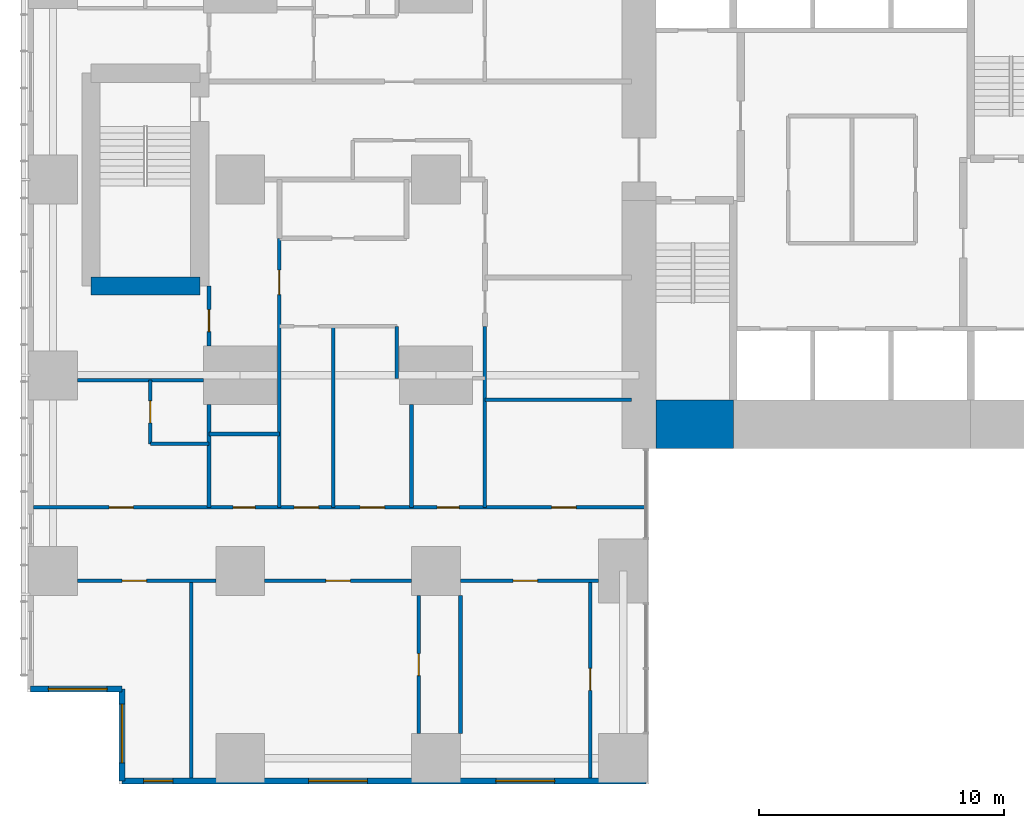
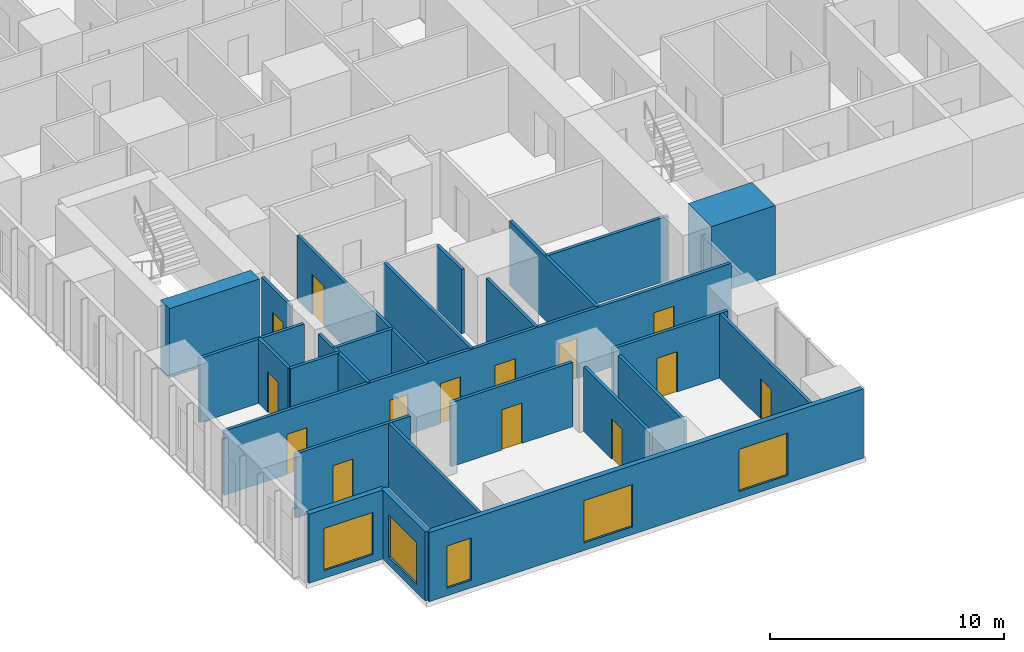
# One storey, part 12 of 20: 25 walls, 14 doors, 5 windows, 19 openings.
"""IFC4 building model written with IfcOpenShell, lengths in metres."""

from ifc_helpers import new_model, si_unit, direction, frame, frame_2d, origin, place, context, subcontext, project, spatial, rectangle, extrude, material, layer, layer_set, type_object, element, fill, save


model = new_model("IFC4")

# Units and contexts
model_context = context("Model", 3, precision=1e-05, world=origin(), true_north=direction((0.0, 1.0)))
body_context = subcontext(model_context, "Body", "Model", "MODEL_VIEW")
ifc_project = project(units=[si_unit("LENGTHUNIT", "METRE"), si_unit("AREAUNIT", "SQUARE_METRE"), si_unit("VOLUMEUNIT", "CUBIC_METRE"), si_unit("PLANEANGLEUNIT", "RADIAN"), si_unit("MASSUNIT", "GRAM", prefix="KILO")], contexts=[model_context])

# Site, building, storey
site_placement = place(None, origin())
site = spatial("IfcSite", under=ifc_project, at=site_placement, CompositionType="ELEMENT")
building_placement = place(site_placement, origin())
building = spatial("IfcBuilding", under=site, at=building_placement, Name="Cleftline Residences", CompositionType="ELEMENT")
storey_placement = place(building_placement, frame((0.0, 0.0, 114.199951171875)))
storey = spatial("IfcBuildingStorey", under=building, at=storey_placement, Name="L29", CompositionType="ELEMENT", Elevation=114.199951171875)

# Wall
ifc_material_1 = material(Name="Concrete B70", Category="concrete")
ifc_layer_1 = layer(ifc_material_1, 2.0)
ifc_layer_set_1 = layer_set([ifc_layer_1], Name="CORE WALL 2000")
wall_type_1 = type_object("IfcWallType", Name="CORE WALL 2000", PredefinedType="SHEAR", material=ifc_layer_set_1)
wall_1_placement = place(storey_placement, frame((25.0, 14.0, 0.0), z_axis=(0.0, 0.0, 1.0), x_axis=(1.0, 0.0, 0.0)))
element("IfcWall", 1, at=wall_1_placement, inside=storey, type_object=wall_type_1, Name="Core wall S1", PredefinedType="SHEAR", context=body_context, shape_type="SweptSolid", body=[
    extrude(rectangle(XDim=3.14990234375, YDim=2.0, at=frame_2d((1.574951171875, 0.0))), origin(), (0.0, 0.0, 1.0), 3.60009765625),
])

# Wall, opening, window
ifc_material_2 = material(Name="Rendered reinforced concrete blockwork", Category="masonry")
ifc_layer_2 = layer(ifc_material_2, 0.25)
ifc_layer_set_2 = layer_set([ifc_layer_2], Name="EXTERNAL WALL 250")
wall_type_2 = type_object("IfcWallType", Name="EXTERNAL WALL 250", PredefinedType="SOLIDWALL", material=ifc_layer_set_2)
wall_2_placement = place(storey_placement, frame((-0.574951171875, 3.175048828125, 0.0), z_axis=(0.0, 0.0, 1.0), x_axis=(1.0, 0.0, 0.0)))
wall_2 = element("IfcWall", 2, at=wall_2_placement, inside=storey, type_object=wall_type_2, Name="External wall", PredefinedType="SOLIDWALL", context=body_context, shape_type="SweptSolid", body=[
    extrude(rectangle(XDim=3.75, YDim=0.25, at=frame_2d((1.875, 0.0))), origin(), (0.0, 0.0, 1.0), 3.60009765625),
])
opening_1_placement = place(wall_2_placement, frame((0.737548828125, 0.0, 0.39990234375)))
opening_1 = element("IfcOpeningElement", 3, at=opening_1_placement, cuts=wall_2, Name="Opening W12", PredefinedType="OPENING", context=body_context, shape_type="SweptSolid", body=[
    extrude(rectangle(XDim=2.39990234375, YDim=2.199951171875, at=frame_2d((1.199951171875, 1.10009765625))), frame((0.0, 0.135009765625, 0.0), z_axis=(0.0, -1.0, 0.0), x_axis=(1.0, 0.0, 0.0)), (0.0, 0.0, 1.0), 0.27001953125),
])
ifc_material_3 = material(Name="Aluminium frame, clear double glazing", Category="aluminium")
window_type_1 = type_object("IfcWindowType", Name="WINDOW 2400X2200", PartitioningType="DOUBLE_PANEL_VERTICAL", PredefinedType="WINDOW", material=ifc_material_3)
window_1_placement = place(opening_1_placement, origin())
window_1 = element("IfcWindow", 4, at=window_1_placement, inside=storey, type_object=window_type_1, Name="Window", OverallHeight=2.199951171875, OverallWidth=2.39990234375, PartitioningType="SINGLE_PANEL", PredefinedType="WINDOW", context=body_context, shape_type="SweptSolid", body=[
    extrude(rectangle(XDim=2.39990234375, YDim=2.199951171875, at=frame_2d((1.199951171875, 1.10009765625))), frame((0.0, 0.030029296875, 0.0), z_axis=(0.0, -1.0, 0.0), x_axis=(1.0, 0.0, 0.0)), (0.0, 0.0, 1.0), 0.06005859375),
])
fill(opening_1, window_1)

wall_3_placement = place(storey_placement, frame((3.175048828125, 3.175048828125, 0.0), z_axis=(0.0, 0.0, 1.0), x_axis=(0.0, -1.0, 0.0)))
wall_3 = element("IfcWall", 5, at=wall_3_placement, inside=storey, type_object=wall_type_2, Name="External wall", PredefinedType="SOLIDWALL", context=body_context, shape_type="SweptSolid", body=[
    extrude(rectangle(XDim=3.75, YDim=0.25, at=frame_2d((1.875, 0.0))), origin(), (0.0, 0.0, 1.0), 3.60009765625),
])
opening_2_placement = place(wall_3_placement, frame((0.612548828125, 0.0, 0.39990234375)))
opening_2 = element("IfcOpeningElement", 6, at=opening_2_placement, cuts=wall_3, Name="Opening W12", PredefinedType="OPENING", context=body_context, shape_type="SweptSolid", body=[
    extrude(rectangle(XDim=2.39990234375, YDim=2.199951171875, at=frame_2d((1.199951171875, 1.10009765625))), frame((0.0, 0.135009765625, 0.0), z_axis=(0.0, -1.0, 0.0), x_axis=(1.0, 0.0, 0.0)), (0.0, 0.0, 1.0), 0.27001953125),
])
window_2_placement = place(opening_2_placement, origin())
window_2 = element("IfcWindow", 7, at=window_2_placement, inside=storey, type_object=window_type_1, Name="Window", OverallHeight=2.199951171875, OverallWidth=2.39990234375, PartitioningType="SINGLE_PANEL", PredefinedType="WINDOW", context=body_context, shape_type="SweptSolid", body=[
    extrude(rectangle(XDim=2.39990234375, YDim=2.199951171875, at=frame_2d((1.199951171875, 1.10009765625))), frame((0.0, 0.030029296875, 0.0), z_axis=(0.0, -1.0, 0.0), x_axis=(1.0, 0.0, 0.0)), (0.0, 0.0, 1.0), 0.06005859375),
])
fill(opening_2, window_2)

# Wall, openings, windows
wall_4_placement = place(storey_placement, frame((3.175048828125, -0.574951171875, 0.0), z_axis=(0.0, 0.0, 1.0), x_axis=(1.0, 0.0, 0.0)))
wall_4 = element("IfcWall", 8, at=wall_4_placement, inside=storey, type_object=wall_type_2, Name="External wall", PredefinedType="SOLIDWALL", context=body_context, shape_type="SweptSolid", body=[
    extrude(rectangle(XDim=21.39990234375, YDim=0.25, at=frame_2d((10.699951171875, 0.0))), origin(), (0.0, 0.0, 1.0), 3.60009765625),
])
opening_3_placement = place(wall_4_placement, frame((0.875, 0.0, 0.39990234375)))
opening_3 = element("IfcOpeningElement", 9, at=opening_3_placement, cuts=wall_4, Name="Opening W11", PredefinedType="OPENING", context=body_context, shape_type="SweptSolid", body=[
    extrude(rectangle(XDim=1.199951171875, YDim=2.199951171875, at=frame_2d((0.60009765625, 1.10009765625))), frame((0.0, 0.135009765625, 0.0), z_axis=(0.0, -1.0, 0.0), x_axis=(1.0, 0.0, 0.0)), (0.0, 0.0, 1.0), 0.27001953125),
])
opening_4_placement = place(wall_4_placement, frame((7.625, 0.0, 0.39990234375)))
opening_4 = element("IfcOpeningElement", 10, at=opening_4_placement, cuts=wall_4, Name="Opening W12", PredefinedType="OPENING", context=body_context, shape_type="SweptSolid", body=[
    extrude(rectangle(XDim=2.39990234375, YDim=2.199951171875, at=frame_2d((1.199951171875, 1.10009765625))), frame((0.0, 0.135009765625, 0.0), z_axis=(0.0, -1.0, 0.0), x_axis=(1.0, 0.0, 0.0)), (0.0, 0.0, 1.0), 0.27001953125),
])
opening_5_placement = place(wall_4_placement, frame((15.27490234375, 0.0, 0.39990234375)))
opening_5 = element("IfcOpeningElement", 11, at=opening_5_placement, cuts=wall_4, Name="Opening W12", PredefinedType="OPENING", context=body_context, shape_type="SweptSolid", body=[
    extrude(rectangle(XDim=2.39990234375, YDim=2.199951171875, at=frame_2d((1.199951171875, 1.10009765625))), frame((0.0, 0.135009765625, 0.0), z_axis=(0.0, -1.0, 0.0), x_axis=(1.0, 0.0, 0.0)), (0.0, 0.0, 1.0), 0.27001953125),
])
ifc_material_4 = material(Name="Aluminium frame, clear double glazing", Category="aluminium")
window_type_2 = type_object("IfcWindowType", Name="WINDOW 1200X2200", PartitioningType="DOUBLE_PANEL_VERTICAL", PredefinedType="WINDOW", material=ifc_material_4)
window_3_placement = place(opening_3_placement, origin())
window_3 = element("IfcWindow", 12, at=window_3_placement, inside=storey, type_object=window_type_2, Name="Window", OverallHeight=2.199951171875, OverallWidth=1.199951171875, PartitioningType="SINGLE_PANEL", PredefinedType="WINDOW", context=body_context, shape_type="SweptSolid", body=[
    extrude(rectangle(XDim=1.199951171875, YDim=2.199951171875, at=frame_2d((0.60009765625, 1.10009765625))), frame((0.0, 0.030029296875, 0.0), z_axis=(0.0, -1.0, 0.0), x_axis=(1.0, 0.0, 0.0)), (0.0, 0.0, 1.0), 0.06005859375),
])
fill(opening_3, window_3)
window_4_placement = place(opening_4_placement, origin())
window_4 = element("IfcWindow", 13, at=window_4_placement, inside=storey, type_object=window_type_1, Name="Window", OverallHeight=2.199951171875, OverallWidth=2.39990234375, PartitioningType="SINGLE_PANEL", PredefinedType="WINDOW", context=body_context, shape_type="SweptSolid", body=[
    extrude(rectangle(XDim=2.39990234375, YDim=2.199951171875, at=frame_2d((1.199951171875, 1.10009765625))), frame((0.0, 0.030029296875, 0.0), z_axis=(0.0, -1.0, 0.0), x_axis=(1.0, 0.0, 0.0)), (0.0, 0.0, 1.0), 0.06005859375),
])
fill(opening_4, window_4)
window_5_placement = place(opening_5_placement, origin())
window_5 = element("IfcWindow", 14, at=window_5_placement, inside=storey, type_object=window_type_1, Name="Window", OverallHeight=2.199951171875, OverallWidth=2.39990234375, PartitioningType="SINGLE_PANEL", PredefinedType="WINDOW", context=body_context, shape_type="SweptSolid", body=[
    extrude(rectangle(XDim=2.39990234375, YDim=2.199951171875, at=frame_2d((1.199951171875, 1.10009765625))), frame((0.0, 0.030029296875, 0.0), z_axis=(0.0, -1.0, 0.0), x_axis=(1.0, 0.0, 0.0)), (0.0, 0.0, 1.0), 0.06005859375),
])
fill(opening_5, window_5)

# Wall, opening, door
ifc_material_5 = material(Name="Gypsum board on steel studs", Category="steel")
ifc_layer_3 = layer(ifc_material_5, 0.14990234375)
ifc_layer_set_3 = layer_set([ifc_layer_3], Name="PARTITION 150")
wall_type_3 = type_object("IfcWallType", Name="PARTITION 150", PredefinedType="PARTITIONING", material=ifc_layer_set_3)
wall_5_placement = place(storey_placement, frame((1.35009765625, 7.60009765625, 0.0), z_axis=(0.0, 0.0, 1.0), x_axis=(1.0, 0.0, 0.0)))
wall_5 = element("IfcWall", 15, at=wall_5_placement, inside=storey, type_object=wall_type_3, Name="Partition", PredefinedType="PARTITIONING", context=body_context, shape_type="SweptSolid", body=[
    extrude(rectangle(XDim=5.64990234375, YDim=0.14990234375, at=frame_2d((2.824951171875, 0.0))), origin(), (0.0, 0.0, 1.0), 3.35009765625),
])
opening_6_placement = place(wall_5_placement, frame((1.824951171875, 0.0, 0.0)))
opening_6 = element("IfcOpeningElement", 16, at=opening_6_placement, cuts=wall_5, Name="Opening D2", PredefinedType="OPENING", context=body_context, shape_type="SweptSolid", body=[
    extrude(rectangle(XDim=1.0, YDim=2.10009765625, at=frame_2d((0.5, 1.050048828125))), frame((0.0, 0.0849609375, 0.0), z_axis=(0.0, -1.0, 0.0), x_axis=(1.0, 0.0, 0.0)), (0.0, 0.0, 1.0), 0.169921875),
])
ifc_material_6 = material(Name="Timber veneer on solid core", Category="wood")
door_type_1 = type_object("IfcDoorType", Name="DOOR 1000X2100", OperationType="SINGLE_SWING_LEFT", PredefinedType="DOOR", material=ifc_material_6)
door_1_placement = place(opening_6_placement, origin())
door_1 = element("IfcDoor", 17, at=door_1_placement, inside=storey, type_object=door_type_1, Name="Door to winter garden", OperationType="SINGLE_SWING_RIGHT", OverallHeight=2.10009765625, OverallWidth=1.0, PredefinedType="DOOR", context=body_context, shape_type="SweptSolid", body=[
    extrude(rectangle(XDim=1.0, YDim=2.10009765625, at=frame_2d((0.5, 1.050048828125))), frame((0.0, 0.02490234375, 0.0), z_axis=(0.0, -1.0, 0.0), x_axis=(1.0, 0.0, 0.0)), (0.0, 0.0, 1.0), 0.050048828125),
])
fill(opening_6, door_1)

wall_6_placement = place(storey_placement, frame((9.0, 7.60009765625, 0.0), z_axis=(0.0, 0.0, 1.0), x_axis=(1.0, 0.0, 0.0)))
wall_6 = element("IfcWall", 18, at=wall_6_placement, inside=storey, type_object=wall_type_3, Name="Partition", PredefinedType="PARTITIONING", context=body_context, shape_type="SweptSolid", body=[
    extrude(rectangle(XDim=6.0, YDim=0.14990234375, at=frame_2d((3.0, 0.0))), origin(), (0.0, 0.0, 1.0), 3.35009765625),
])
opening_7_placement = place(wall_6_placement, frame((2.5, 0.0, 0.0)))
opening_7 = element("IfcOpeningElement", 19, at=opening_7_placement, cuts=wall_6, Name="Opening D2", PredefinedType="OPENING", context=body_context, shape_type="SweptSolid", body=[
    extrude(rectangle(XDim=1.0, YDim=2.10009765625, at=frame_2d((0.5, 1.050048828125))), frame((0.0, 0.0849609375, 0.0), z_axis=(0.0, -1.0, 0.0), x_axis=(1.0, 0.0, 0.0)), (0.0, 0.0, 1.0), 0.169921875),
])
door_2_placement = place(opening_7_placement, origin())
door_2 = element("IfcDoor", 20, at=door_2_placement, inside=storey, type_object=door_type_1, Name="Door to great room", OperationType="SINGLE_SWING_LEFT", OverallHeight=2.10009765625, OverallWidth=1.0, PredefinedType="DOOR", context=body_context, shape_type="SweptSolid", body=[
    extrude(rectangle(XDim=1.0, YDim=2.10009765625, at=frame_2d((0.5, 1.050048828125))), frame((0.0, 0.02490234375, 0.0), z_axis=(0.0, -1.0, 0.0), x_axis=(1.0, 0.0, 0.0)), (0.0, 0.0, 1.0), 0.050048828125),
])
fill(opening_7, door_2)

wall_7_placement = place(storey_placement, frame((17.0, 7.60009765625, 0.0), z_axis=(0.0, 0.0, 1.0), x_axis=(1.0, 0.0, 0.0)))
wall_7 = element("IfcWall", 21, at=wall_7_placement, inside=storey, type_object=wall_type_3, Name="Partition", PredefinedType="PARTITIONING", context=body_context, shape_type="SweptSolid", body=[
    extrude(rectangle(XDim=5.64990234375, YDim=0.14990234375, at=frame_2d((2.824951171875, 0.0))), origin(), (0.0, 0.0, 1.0), 3.35009765625),
])
opening_8_placement = place(wall_7_placement, frame((2.14990234375, 0.0, 0.0)))
opening_8 = element("IfcOpeningElement", 22, at=opening_8_placement, cuts=wall_7, Name="Opening D2", PredefinedType="OPENING", context=body_context, shape_type="SweptSolid", body=[
    extrude(rectangle(XDim=1.0, YDim=2.10009765625, at=frame_2d((0.5, 1.050048828125))), frame((0.0, 0.0849609375, 0.0), z_axis=(0.0, -1.0, 0.0), x_axis=(1.0, 0.0, 0.0)), (0.0, 0.0, 1.0), 0.169921875),
])
door_3_placement = place(opening_8_placement, origin())
door_3 = element("IfcDoor", 23, at=door_3_placement, inside=storey, type_object=door_type_1, Name="Door to show kitchen", OperationType="SINGLE_SWING_RIGHT", OverallHeight=2.10009765625, OverallWidth=1.0, PredefinedType="DOOR", context=body_context, shape_type="SweptSolid", body=[
    extrude(rectangle(XDim=1.0, YDim=2.10009765625, at=frame_2d((0.5, 1.050048828125))), frame((0.0, 0.02490234375, 0.0), z_axis=(0.0, -1.0, 0.0), x_axis=(1.0, 0.0, 0.0)), (0.0, 0.0, 1.0), 0.050048828125),
])
fill(opening_8, door_3)

# Wall, openings, doors
wall_8_placement = place(storey_placement, frame((-0.449951171875, 10.60009765625, 0.0), z_axis=(0.0, 0.0, 1.0), x_axis=(1.0, 0.0, 0.0)))
wall_8 = element("IfcWall", 24, at=wall_8_placement, inside=storey, type_object=wall_type_3, Name="Partition", PredefinedType="PARTITIONING", context=body_context, shape_type="SweptSolid", body=[
    extrude(rectangle(XDim=25.010986328125, YDim=0.14990234375, at=frame_2d((12.50537109375, 0.0))), origin(), (0.0, 0.0, 1.0), 3.35009765625),
])
opening_9_placement = place(wall_8_placement, frame((10.64990234375, 0.0, 0.0)))
opening_9 = element("IfcOpeningElement", 25, at=opening_9_placement, cuts=wall_8, Name="Opening D2", PredefinedType="OPENING", context=body_context, shape_type="SweptSolid", body=[
    extrude(rectangle(XDim=1.0, YDim=2.10009765625, at=frame_2d((0.5, 1.050048828125))), frame((0.0, 0.0849609375, 0.0), z_axis=(0.0, -1.0, 0.0), x_axis=(1.0, 0.0, 0.0)), (0.0, 0.0, 1.0), 0.169921875),
])
opening_10_placement = place(wall_8_placement, frame((3.08740234375, 0.0, 0.0)))
opening_10 = element("IfcOpeningElement", 26, at=opening_10_placement, cuts=wall_8, Name="Opening D2", PredefinedType="OPENING", context=body_context, shape_type="SweptSolid", body=[
    extrude(rectangle(XDim=1.0, YDim=2.10009765625, at=frame_2d((0.5, 1.050048828125))), frame((0.0, 0.0849609375, 0.0), z_axis=(0.0, -1.0, 0.0), x_axis=(1.0, 0.0, 0.0)), (0.0, 0.0, 1.0), 0.169921875),
])
opening_11_placement = place(wall_8_placement, frame((8.16259765625, 0.0, 0.0)))
opening_11 = element("IfcOpeningElement", 27, at=opening_11_placement, cuts=wall_8, Name="Opening D1", PredefinedType="OPENING", context=body_context, shape_type="SweptSolid", body=[
    extrude(rectangle(XDim=0.89990234375, YDim=2.10009765625, at=frame_2d((0.449951171875, 1.050048828125))), frame((0.0, 0.0849609375, 0.0), z_axis=(0.0, -1.0, 0.0), x_axis=(1.0, 0.0, 0.0)), (0.0, 0.0, 1.0), 0.169921875),
])
opening_12_placement = place(wall_8_placement, frame((13.35009765625, 0.0, 0.0)))
opening_12 = element("IfcOpeningElement", 28, at=opening_12_placement, cuts=wall_8, Name="Opening D2", PredefinedType="OPENING", context=body_context, shape_type="SweptSolid", body=[
    extrude(rectangle(XDim=1.0, YDim=2.10009765625, at=frame_2d((0.5, 1.050048828125))), frame((0.0, 0.0849609375, 0.0), z_axis=(0.0, -1.0, 0.0), x_axis=(1.0, 0.0, 0.0)), (0.0, 0.0, 1.0), 0.169921875),
])
opening_13_placement = place(wall_8_placement, frame((16.5, 0.0, 0.0)))
opening_13 = element("IfcOpeningElement", 29, at=opening_13_placement, cuts=wall_8, Name="Opening D1", PredefinedType="OPENING", context=body_context, shape_type="SweptSolid", body=[
    extrude(rectangle(XDim=0.89990234375, YDim=2.10009765625, at=frame_2d((0.449951171875, 1.050048828125))), frame((0.0, 0.0849609375, 0.0), z_axis=(0.0, -1.0, 0.0), x_axis=(1.0, 0.0, 0.0)), (0.0, 0.0, 1.0), 0.169921875),
])
opening_14_placement = place(wall_8_placement, frame((21.175048828125, 0.0, 0.0)))
opening_14 = element("IfcOpeningElement", 30, at=opening_14_placement, cuts=wall_8, Name="Opening D2", PredefinedType="OPENING", context=body_context, shape_type="SweptSolid", body=[
    extrude(rectangle(XDim=1.0, YDim=2.10009765625, at=frame_2d((0.5, 1.050048828125))), frame((0.0, 0.0849609375, 0.0), z_axis=(0.0, -1.0, 0.0), x_axis=(1.0, 0.0, 0.0)), (0.0, 0.0, 1.0), 0.169921875),
])
door_4_placement = place(opening_9_placement, origin())
door_4 = element("IfcDoor", 31, at=door_4_placement, inside=storey, type_object=door_type_1, Name="Door to residence hall", OperationType="SINGLE_SWING_RIGHT", OverallHeight=2.10009765625, OverallWidth=1.0, PredefinedType="DOOR", context=body_context, shape_type="SweptSolid", body=[
    extrude(rectangle(XDim=1.0, YDim=2.10009765625, at=frame_2d((0.5, 1.050048828125))), frame((0.0, 0.02490234375, 0.0), z_axis=(0.0, -1.0, 0.0), x_axis=(1.0, 0.0, 0.0)), (0.0, 0.0, 1.0), 0.050048828125),
])
fill(opening_9, door_4)
door_5_placement = place(opening_10_placement, origin())
door_5 = element("IfcDoor", 32, at=door_5_placement, inside=storey, type_object=door_type_1, Name="Door to guest bedroom", OperationType="SINGLE_SWING_RIGHT", OverallHeight=2.10009765625, OverallWidth=1.0, PredefinedType="DOOR", context=body_context, shape_type="SweptSolid", body=[
    extrude(rectangle(XDim=1.0, YDim=2.10009765625, at=frame_2d((0.5, 1.050048828125))), frame((0.0, 0.02490234375, 0.0), z_axis=(0.0, -1.0, 0.0), x_axis=(1.0, 0.0, 0.0)), (0.0, 0.0, 1.0), 0.050048828125),
])
fill(opening_10, door_5)
door_6_placement = place(opening_12_placement, origin())
door_6 = element("IfcDoor", 33, at=door_6_placement, inside=storey, type_object=door_type_1, Name="Door to wet kitchen", OperationType="SINGLE_SWING_LEFT", OverallHeight=2.10009765625, OverallWidth=1.0, PredefinedType="DOOR", context=body_context, shape_type="SweptSolid", body=[
    extrude(rectangle(XDim=1.0, YDim=2.10009765625, at=frame_2d((0.5, 1.050048828125))), frame((0.0, 0.02490234375, 0.0), z_axis=(0.0, -1.0, 0.0), x_axis=(1.0, 0.0, 0.0)), (0.0, 0.0, 1.0), 0.050048828125),
])
fill(opening_12, door_6)
door_7_placement = place(opening_14_placement, origin())
door_7 = element("IfcDoor", 34, at=door_7_placement, inside=storey, type_object=door_type_1, Name="Door to breakfast room", OperationType="SINGLE_SWING_LEFT", OverallHeight=2.10009765625, OverallWidth=1.0, PredefinedType="DOOR", context=body_context, shape_type="SweptSolid", body=[
    extrude(rectangle(XDim=1.0, YDim=2.10009765625, at=frame_2d((0.5, 1.050048828125))), frame((0.0, 0.02490234375, 0.0), z_axis=(0.0, -1.0, 0.0), x_axis=(1.0, 0.0, 0.0)), (0.0, 0.0, 1.0), 0.050048828125),
])
fill(opening_14, door_7)
ifc_material_7 = material(Name="Timber veneer on solid core", Category="wood")
door_type_2 = type_object("IfcDoorType", Name="DOOR 900X2100", OperationType="SINGLE_SWING_LEFT", PredefinedType="DOOR", material=ifc_material_7)
door_8_placement = place(opening_11_placement, origin())
door_8 = element("IfcDoor", 35, at=door_8_placement, inside=storey, type_object=door_type_2, Name="Door to coat store", OperationType="SINGLE_SWING_RIGHT", OverallHeight=2.10009765625, OverallWidth=0.89990234375, PredefinedType="DOOR", context=body_context, shape_type="SweptSolid", body=[
    extrude(rectangle(XDim=0.89990234375, YDim=2.10009765625, at=frame_2d((0.449951171875, 1.050048828125))), frame((0.0, 0.02490234375, 0.0), z_axis=(0.0, -1.0, 0.0), x_axis=(1.0, 0.0, 0.0)), (0.0, 0.0, 1.0), 0.050048828125),
])
fill(opening_11, door_8)
door_9_placement = place(opening_13_placement, origin())
door_9 = element("IfcDoor", 36, at=door_9_placement, inside=storey, type_object=door_type_2, Name="Door to pantry", OperationType="SINGLE_SWING_LEFT", OverallHeight=2.10009765625, OverallWidth=0.89990234375, PredefinedType="DOOR", context=body_context, shape_type="SweptSolid", body=[
    extrude(rectangle(XDim=0.89990234375, YDim=2.10009765625, at=frame_2d((0.449951171875, 1.050048828125))), frame((0.0, 0.02490234375, 0.0), z_axis=(0.0, -1.0, 0.0), x_axis=(1.0, 0.0, 0.0)), (0.0, 0.0, 1.0), 0.050048828125),
])
fill(opening_13, door_9)

# Walls
wall_9_placement = place(storey_placement, frame((4.324951171875, 13.199951171875, 0.0), z_axis=(0.0, 0.0, 1.0), x_axis=(1.0, 0.0, 0.0)))
element("IfcWall", 37, at=wall_9_placement, inside=storey, type_object=wall_type_3, Name="Partition", PredefinedType="PARTITIONING", context=body_context, shape_type="SweptSolid", body=[
    extrude(rectangle(XDim=2.400146484375, YDim=0.14990234375, at=frame_2d((1.2001953125, 0.0))), origin(), (0.0, 0.0, 1.0), 3.35009765625),
])
wall_10_placement = place(storey_placement, frame((6.72509765625, 13.60009765625, 0.0), z_axis=(0.0, 0.0, 1.0), x_axis=(1.0, 0.0, 0.0)))
element("IfcWall", 38, at=wall_10_placement, inside=storey, type_object=wall_type_3, Name="Partition", PredefinedType="PARTITIONING", context=body_context, shape_type="SweptSolid", body=[
    extrude(rectangle(XDim=2.875, YDim=0.14990234375, at=frame_2d((1.4375, 0.0))), origin(), (0.0, 0.0, 1.0), 3.35009765625),
])
wall_11_placement = place(storey_placement, frame((18.0, 15.0, 0.0), z_axis=(0.0, 0.0, 1.0), x_axis=(1.0, 0.0, 0.0)))
element("IfcWall", 39, at=wall_11_placement, inside=storey, type_object=wall_type_3, Name="Partition", PredefinedType="PARTITIONING", context=body_context, shape_type="SweptSolid", body=[
    extrude(rectangle(XDim=6.0, YDim=0.14990234375, at=frame_2d((3.0, 0.0))), origin(), (0.0, 0.0, 1.0), 3.35009765625),
])
wall_12_placement = place(storey_placement, frame((1.35009765625, 15.800048828125, 0.0), z_axis=(0.0, 0.0, 1.0), x_axis=(1.0, 0.0, 0.0)))
element("IfcWall", 40, at=wall_12_placement, inside=storey, type_object=wall_type_3, Name="Partition", PredefinedType="PARTITIONING", context=body_context, shape_type="SweptSolid", body=[
    extrude(rectangle(XDim=5.14990234375, YDim=0.14990234375, at=frame_2d((2.574951171875, 0.0))), origin(), (0.0, 0.0, 1.0), 3.35009765625),
])

# Wall, opening, door
wall_13_placement = place(storey_placement, frame((4.324951171875, 13.199951171875, 0.0), z_axis=(0.0, 0.0, 1.0), x_axis=(0.0, 1.0, 0.0)))
wall_13 = element("IfcWall", 41, at=wall_13_placement, inside=storey, type_object=wall_type_3, Name="Partition", PredefinedType="PARTITIONING", context=body_context, shape_type="SweptSolid", body=[
    extrude(rectangle(XDim=2.60009765625, YDim=0.14990234375, at=frame_2d((1.300048828125, 0.0))), origin(), (0.0, 0.0, 1.0), 3.35009765625),
])
opening_15_placement = place(wall_13_placement, frame((0.85009765625, 0.0, 0.0)))
opening_15 = element("IfcOpeningElement", 42, at=opening_15_placement, cuts=wall_13, Name="Opening D1", PredefinedType="OPENING", context=body_context, shape_type="SweptSolid", body=[
    extrude(rectangle(XDim=0.89990234375, YDim=2.10009765625, at=frame_2d((0.449951171875, 1.050048828125))), frame((0.0, 0.0849609375, 0.0), z_axis=(0.0, -1.0, 0.0), x_axis=(1.0, 0.0, 0.0)), (0.0, 0.0, 1.0), 0.169921875),
])
door_10_placement = place(opening_15_placement, origin())
door_10 = element("IfcDoor", 43, at=door_10_placement, inside=storey, type_object=door_type_2, Name="Door to guest bathroom", OperationType="SINGLE_SWING_LEFT", OverallHeight=2.10009765625, OverallWidth=0.89990234375, PredefinedType="DOOR", context=body_context, shape_type="SweptSolid", body=[
    extrude(rectangle(XDim=0.89990234375, YDim=2.10009765625, at=frame_2d((0.449951171875, 1.050048828125))), frame((0.0, 0.02490234375, 0.0), z_axis=(0.0, -1.0, 0.0), x_axis=(1.0, 0.0, 0.0)), (0.0, 0.0, 1.0), 0.050048828125),
])
fill(opening_15, door_10)

# Walls
wall_14_placement = place(storey_placement, frame((6.0, -0.449951171875, 0.0), z_axis=(0.0, 0.0, 1.0), x_axis=(0.0, 1.0, 0.0)))
element("IfcWall", 44, at=wall_14_placement, inside=storey, type_object=wall_type_3, Name="Partition", PredefinedType="PARTITIONING", context=body_context, shape_type="SweptSolid", body=[
    extrude(rectangle(XDim=8.050048828125, YDim=0.14990234375, at=frame_2d((4.02490234375, 0.0))), origin(), (0.0, 0.0, 1.0), 3.35009765625),
])
wall_15_placement = place(storey_placement, frame((6.72509765625, 10.60009765625, 0.0), z_axis=(0.0, 0.0, 1.0), x_axis=(0.0, 1.0, 0.0)))
element("IfcWall", 45, at=wall_15_placement, inside=storey, type_object=wall_type_3, Name="Partition", PredefinedType="PARTITIONING", context=body_context, shape_type="SweptSolid", body=[
    extrude(rectangle(XDim=4.199951171875, YDim=0.14990234375, at=frame_2d((2.10009765625, 0.0))), origin(), (0.0, 0.0, 1.0), 3.35009765625),
])

# Wall, opening, door
wall_16_placement = place(storey_placement, frame((6.72509765625, 17.199951171875, 0.0), z_axis=(0.0, 0.0, 1.0), x_axis=(0.0, 1.0, 0.0)))
wall_16 = element("IfcWall", 46, at=wall_16_placement, inside=storey, type_object=wall_type_3, Name="Partition", PredefinedType="PARTITIONING", context=body_context, shape_type="SweptSolid", body=[
    extrude(rectangle(XDim=2.449951171875, YDim=0.14990234375, at=frame_2d((1.22509765625, 0.0))), origin(), (0.0, 0.0, 1.0), 3.35009765625),
])
opening_16_placement = place(wall_16_placement, frame((0.58740234375, 0.0, 0.0)))
opening_16 = element("IfcOpeningElement", 47, at=opening_16_placement, cuts=wall_16, Name="Opening D1", PredefinedType="OPENING", context=body_context, shape_type="SweptSolid", body=[
    extrude(rectangle(XDim=0.89990234375, YDim=2.10009765625, at=frame_2d((0.449951171875, 1.050048828125))), frame((0.0, 0.0849609375, 0.0), z_axis=(0.0, -1.0, 0.0), x_axis=(1.0, 0.0, 0.0)), (0.0, 0.0, 1.0), 0.169921875),
])
door_11_placement = place(opening_16_placement, origin())
door_11 = element("IfcDoor", 48, at=door_11_placement, inside=storey, type_object=door_type_2, Name="Door to drying loggia", OperationType="SINGLE_SWING_RIGHT", OverallHeight=2.10009765625, OverallWidth=0.89990234375, PredefinedType="DOOR", context=body_context, shape_type="SweptSolid", body=[
    extrude(rectangle(XDim=0.89990234375, YDim=2.10009765625, at=frame_2d((0.449951171875, 1.050048828125))), frame((0.0, 0.02490234375, 0.0), z_axis=(0.0, -1.0, 0.0), x_axis=(1.0, 0.0, 0.0)), (0.0, 0.0, 1.0), 0.050048828125),
])
fill(opening_16, door_11)

wall_17_placement = place(storey_placement, frame((9.60009765625, 10.60009765625, 0.0), z_axis=(0.0, 0.0, 1.0), x_axis=(0.0, 1.0, 0.0)))
wall_17 = element("IfcWall", 49, at=wall_17_placement, inside=storey, type_object=wall_type_3, Name="Partition", PredefinedType="PARTITIONING", context=body_context, shape_type="SweptSolid", body=[
    extrude(rectangle(XDim=11.0, YDim=0.14990234375, at=frame_2d((5.5, 0.0))), origin(), (0.0, 0.0, 1.0), 3.35009765625),
])
opening_17_placement = place(wall_17_placement, frame((8.699951171875, 0.0, 0.0)))
opening_17 = element("IfcOpeningElement", 50, at=opening_17_placement, cuts=wall_17, Name="Opening D2F30", PredefinedType="OPENING", context=body_context, shape_type="SweptSolid", body=[
    extrude(rectangle(XDim=1.0, YDim=2.10009765625, at=frame_2d((0.5, 1.050048828125))), frame((0.0, 0.0849609375, 0.0), z_axis=(0.0, -1.0, 0.0), x_axis=(1.0, 0.0, 0.0)), (0.0, 0.0, 1.0), 0.169921875),
])
ifc_material_8 = material(Name="Timber veneer on solid core", Category="wood")
door_type_3 = type_object("IfcDoorType", Name="DOOR 1000X2100 EI 30", OperationType="SINGLE_SWING_LEFT", PredefinedType="DOOR", material=ifc_material_8)
door_12_placement = place(opening_17_placement, origin())
door_12 = element("IfcDoor", 51, at=door_12_placement, inside=storey, type_object=door_type_3, Name="Door to residence lobby", OperationType="SINGLE_SWING_LEFT", OverallHeight=2.10009765625, OverallWidth=1.0, PredefinedType="DOOR", context=body_context, shape_type="SweptSolid", body=[
    extrude(rectangle(XDim=1.0, YDim=2.10009765625, at=frame_2d((0.5, 1.050048828125))), frame((0.0, 0.02490234375, 0.0), z_axis=(0.0, -1.0, 0.0), x_axis=(1.0, 0.0, 0.0)), (0.0, 0.0, 1.0), 0.050048828125),
])
fill(opening_17, door_12)

# Walls
wall_18_placement = place(storey_placement, frame((11.800048828125, 10.60009765625, 0.0), z_axis=(0.0, 0.0, 1.0), x_axis=(0.0, 1.0, 0.0)))
element("IfcWall", 52, at=wall_18_placement, inside=storey, type_object=wall_type_3, Name="Partition", PredefinedType="PARTITIONING", context=body_context, shape_type="SweptSolid", body=[
    extrude(rectangle(XDim=7.39990234375, YDim=0.14990234375, at=frame_2d((3.699951171875, 0.0))), origin(), (0.0, 0.0, 1.0), 3.35009765625),
])
wall_19_placement = place(storey_placement, frame((14.39990234375, 15.875, 0.0), z_axis=(0.0, 0.0, 1.0), x_axis=(0.0, 1.0, 0.0)))
element("IfcWall", 53, at=wall_19_placement, inside=storey, type_object=wall_type_3, Name="Partition", PredefinedType="PARTITIONING", context=body_context, shape_type="SweptSolid", body=[
    extrude(rectangle(XDim=2.125, YDim=0.14990234375, at=frame_2d((1.0625, 0.0))), origin(), (0.0, 0.0, 1.0), 3.35009765625),
])
wall_20_placement = place(storey_placement, frame((15.0, 10.60009765625, 0.0), z_axis=(0.0, 0.0, 1.0), x_axis=(0.0, 1.0, 0.0)))
element("IfcWall", 54, at=wall_20_placement, inside=storey, type_object=wall_type_3, Name="Partition", PredefinedType="PARTITIONING", context=body_context, shape_type="SweptSolid", body=[
    extrude(rectangle(XDim=4.199951171875, YDim=0.14990234375, at=frame_2d((2.10009765625, 0.0))), origin(), (0.0, 0.0, 1.0), 3.35009765625),
])

# Wall, opening, door
wall_21_placement = place(storey_placement, frame((15.300048828125, 1.35009765625, 0.0), z_axis=(0.0, 0.0, 1.0), x_axis=(0.0, 1.0, 0.0)))
wall_21 = element("IfcWall", 55, at=wall_21_placement, inside=storey, type_object=wall_type_3, Name="Partition", PredefinedType="PARTITIONING", context=body_context, shape_type="SweptSolid", body=[
    extrude(rectangle(XDim=5.64990234375, YDim=0.14990234375, at=frame_2d((2.824951171875, 0.0))), origin(), (0.0, 0.0, 1.0), 3.35009765625),
])
opening_18_placement = place(wall_21_placement, frame((2.375, 0.0, 0.0)))
opening_18 = element("IfcOpeningElement", 56, at=opening_18_placement, cuts=wall_21, Name="Opening D1", PredefinedType="OPENING", context=body_context, shape_type="SweptSolid", body=[
    extrude(rectangle(XDim=0.89990234375, YDim=2.10009765625, at=frame_2d((0.449951171875, 1.050048828125))), frame((0.0, 0.0849609375, 0.0), z_axis=(0.0, -1.0, 0.0), x_axis=(1.0, 0.0, 0.0)), (0.0, 0.0, 1.0), 0.169921875),
])
door_13_placement = place(opening_18_placement, origin())
door_13 = element("IfcDoor", 57, at=door_13_placement, inside=storey, type_object=door_type_2, Name="Door to store room", OperationType="SINGLE_SWING_LEFT", OverallHeight=2.10009765625, OverallWidth=0.89990234375, PredefinedType="DOOR", context=body_context, shape_type="SweptSolid", body=[
    extrude(rectangle(XDim=0.89990234375, YDim=2.10009765625, at=frame_2d((0.449951171875, 1.050048828125))), frame((0.0, 0.02490234375, 0.0), z_axis=(0.0, -1.0, 0.0), x_axis=(1.0, 0.0, 0.0)), (0.0, 0.0, 1.0), 0.050048828125),
])
fill(opening_18, door_13)

# Walls
wall_22_placement = place(storey_placement, frame((17.0, 1.35009765625, 0.0), z_axis=(0.0, 0.0, 1.0), x_axis=(0.0, 1.0, 0.0)))
element("IfcWall", 58, at=wall_22_placement, inside=storey, type_object=wall_type_3, Name="Partition", PredefinedType="PARTITIONING", context=body_context, shape_type="SweptSolid", body=[
    extrude(rectangle(XDim=5.64990234375, YDim=0.14990234375, at=frame_2d((2.824951171875, 0.0))), origin(), (0.0, 0.0, 1.0), 3.35009765625),
])
wall_23_placement = place(storey_placement, frame((18.0, 10.60009765625, 0.0), z_axis=(0.0, 0.0, 1.0), x_axis=(0.0, 1.0, 0.0)))
element("IfcWall", 59, at=wall_23_placement, inside=storey, type_object=wall_type_3, Name="Partition", PredefinedType="PARTITIONING", context=body_context, shape_type="SweptSolid", body=[
    extrude(rectangle(XDim=7.39990234375, YDim=0.14990234375, at=frame_2d((3.699951171875, 0.0))), origin(), (0.0, 0.0, 1.0), 3.35009765625),
])

# Wall, opening, door
wall_24_placement = place(storey_placement, frame((22.300048828125, -0.449951171875, 0.0), z_axis=(0.0, 0.0, 1.0), x_axis=(0.0, 1.0, 0.0)))
wall_24 = element("IfcWall", 60, at=wall_24_placement, inside=storey, type_object=wall_type_3, Name="Partition", PredefinedType="PARTITIONING", context=body_context, shape_type="SweptSolid", body=[
    extrude(rectangle(XDim=8.050048828125, YDim=0.14990234375, at=frame_2d((4.02490234375, 0.0))), origin(), (0.0, 0.0, 1.0), 3.35009765625),
])
opening_19_placement = place(wall_24_placement, frame((3.574951171875, 0.0, 0.0)))
opening_19 = element("IfcOpeningElement", 61, at=opening_19_placement, cuts=wall_24, Name="Opening D1", PredefinedType="OPENING", context=body_context, shape_type="SweptSolid", body=[
    extrude(rectangle(XDim=0.89990234375, YDim=2.10009765625, at=frame_2d((0.449951171875, 1.050048828125))), frame((0.0, 0.0849609375, 0.0), z_axis=(0.0, -1.0, 0.0), x_axis=(1.0, 0.0, 0.0)), (0.0, 0.0, 1.0), 0.169921875),
])
door_14_placement = place(opening_19_placement, origin())
door_14 = element("IfcDoor", 62, at=door_14_placement, inside=storey, type_object=door_type_2, Name="Door to larder", OperationType="SINGLE_SWING_LEFT", OverallHeight=2.10009765625, OverallWidth=0.89990234375, PredefinedType="DOOR", context=body_context, shape_type="SweptSolid", body=[
    extrude(rectangle(XDim=0.89990234375, YDim=2.10009765625, at=frame_2d((0.449951171875, 1.050048828125))), frame((0.0, 0.02490234375, 0.0), z_axis=(0.0, -1.0, 0.0), x_axis=(1.0, 0.0, 0.0)), (0.0, 0.0, 1.0), 0.050048828125),
])
fill(opening_19, door_14)

# Wall
ifc_material_9 = material(Name="Concrete B70", Category="concrete")
ifc_layer_4 = layer(ifc_material_9, 0.75)
ifc_layer_set_4 = layer_set([ifc_layer_4], Name="SHEAR WALL 750")
wall_type_4 = type_object("IfcWallType", Name="SHEAR WALL 750", PredefinedType="SHEAR", material=ifc_layer_set_4)
wall_25_placement = place(storey_placement, frame((1.89990234375, 19.64990234375, 0.0), z_axis=(0.0, 0.0, 1.0), x_axis=(1.0, 0.0, 0.0)))
element("IfcWall", 63, at=wall_25_placement, inside=storey, type_object=wall_type_4, Name="Wing shear wall", PredefinedType="SHEAR", context=body_context, shape_type="SweptSolid", body=[
    extrude(rectangle(XDim=4.4501953125, YDim=0.75, at=frame_2d((2.22509765625, 0.0))), origin(), (0.0, 0.0, 1.0), 3.60009765625),
])

save(model, "model.ifc")
